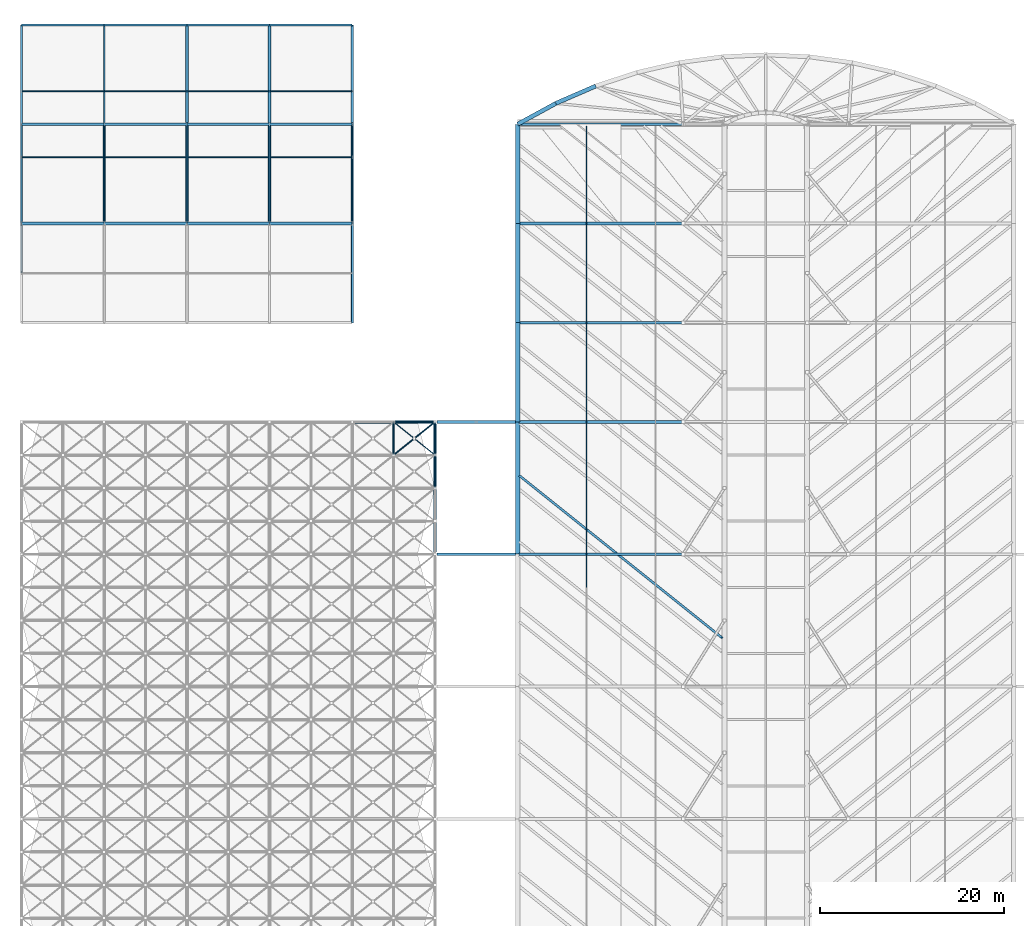
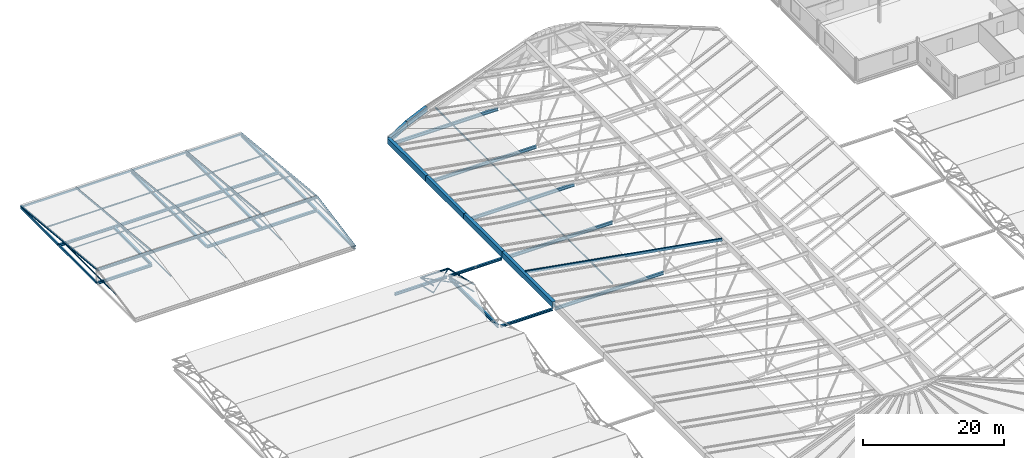
# One storey, part 30 of 110: 41 beams, 36 members.
"""IFC4 building model written with IfcOpenShell, lengths in metres."""

from ifc_helpers import new_model, si_unit, direction, frame, origin, origin_2d, place, context, subcontext, project, spatial, hollow_rectangle, hollow_circle, i_section, extrude, material, material_profile, profile_set, type_object, element, save


model = new_model("IFC4")

# Units and contexts
model_context = context("Model", 3, precision=1e-05, world=origin(), true_north=direction((0.0, 1.0)))
body_context = subcontext(model_context, "Body", "Model", "MODEL_VIEW")
ifc_project = project(units=[si_unit("LENGTHUNIT", "METRE"), si_unit("AREAUNIT", "SQUARE_METRE"), si_unit("VOLUMEUNIT", "CUBIC_METRE"), si_unit("PLANEANGLEUNIT", "RADIAN"), si_unit("MASSUNIT", "GRAM", prefix="KILO")], contexts=[model_context])

# Site, building, storey
site_placement = place(None, origin())
site = spatial("IfcSite", under=ifc_project, at=site_placement, CompositionType="ELEMENT")
building_placement = place(site_placement, origin())
building = spatial("IfcBuilding", under=site, at=building_placement, Name="Tamarisk Ironworks Central Station", CompositionType="ELEMENT")
storey_placement = place(building_placement, frame((0.0, 0.0, 17.39990234375)))
storey = spatial("IfcBuildingStorey", under=building, at=storey_placement, Name="L03", CompositionType="ELEMENT", Elevation=17.39990234375)

# Beams
ifc_material_1 = material(Name="Painted structural steel S355J2", Category="steel")
ifc_material_profile_1 = material_profile(ifc_material_1, hollow_rectangle(XDim=0.5, YDim=1.0, WallThickness=0.02197265625, at=origin_2d()), Name="BOX 500x1000x22")
ifc_profile_set_1 = profile_set([ifc_material_profile_1], Name="Painted structural steel S355J2")
beam_type_1 = type_object("IfcBeamType", Name="BM-EG01", PredefinedType="USERDEFINED", material=ifc_profile_set_1)
beam_1_placement = place(storey_placement, frame((54.0, 64.800048828125, -1.099853515625), z_axis=(0.0, 1.0, 0.0), x_axis=(-1.0, 0.0, 0.0)))
element("IfcBeam", 1, at=beam_1_placement, inside=storey, type_object=beam_type_1, Name="Concourse straight white eave girder W-005", ObjectType="TRANSFER GIRDER", PredefinedType="USERDEFINED", context=body_context, shape_type="SweptSolid", body=[
    extrude(hollow_rectangle(XDim=0.5, YDim=1.0, WallThickness=0.02197265625, at=origin_2d()), origin(), (0.0, 0.0, 1.0), 14.39990234375),
])
for number, where, z_axis, x_axis, name in (
    (2, (54.0, 79.199951171875, -1.099853515625), (0.0, 1.0, 0.0), (-1.0, 0.0, 0.0), "Concourse straight white eave girder W-006"),
    (3, (54.0, 90.0, -1.099853515625), (0.0, 1.0, 0.0), (-1.0, 0.0, 0.0), "Concourse straight white eave girder W-007"),
    (4, (54.0, 100.800048828125, -1.099853515625), (0.0, 1.0, 0.0), (-1.0, 0.0, 0.0), "Concourse straight white eave girder W-008"),
):
    element("IfcBeam", number, at=place(storey_placement, frame(where, z_axis=z_axis, x_axis=x_axis)), inside=storey, type_object=beam_type_1, Name=name, ObjectType="TRANSFER GIRDER", PredefinedType="USERDEFINED", context=body_context, shape_type="SweptSolid", body=[
        extrude(hollow_rectangle(XDim=0.5, YDim=1.0, WallThickness=0.02197265625, at=origin_2d()), origin(), (0.0, 0.0, 1.0), 10.800048828125),
    ])
ifc_material_profile_2 = material_profile(ifc_material_1, hollow_rectangle(XDim=0.25, YDim=0.449951171875, WallThickness=0.01611328125, at=origin_2d()), Name="RHS 450x250x16")
ifc_profile_set_2 = profile_set([ifc_material_profile_2], Name="Painted structural steel S355J2")
beam_type_2 = type_object("IfcBeamType", Name="BM-FR02", PredefinedType="USERDEFINED", material=ifc_profile_set_2)
beam_2_placement = place(storey_placement, frame((76.25, 55.699951171875, 7.897216796875), z_axis=(-0.746812720906, 0.597456799313, -0.292089254932), x_axis=(-0.624699269839, -0.780865431597, 0.0)))
element("IfcBeam", 5, at=beam_2_placement, inside=storey, type_object=beam_type_2, Name="Concourse paired 45-degree white fishbone roof rib 0147", ObjectType="FISHBONE ROOF RIB", PredefinedType="USERDEFINED", context=body_context, shape_type="SweptSolid", body=[
    extrude(hollow_rectangle(XDim=0.25, YDim=0.449951171875, WallThickness=0.01611328125, at=origin_2d()), origin(), (0.0, 0.0, 1.0), 29.491943359375),
])
ifc_material_2 = material(Name="Structural steel S355J2", Category="steel")
ifc_material_profile_3 = material_profile(ifc_material_2, i_section(OverallWidth=0.300048828125, OverallDepth=0.5400390625, WebThickness=0.012451171875, FlangeThickness=0.02392578125, at=origin_2d()), Name="HEA 550")
ifc_profile_set_3 = profile_set([ifc_material_profile_3], Name="Structural steel S355J2")
beam_type_3 = type_object("IfcBeamType", Name="BM-G04", PredefinedType="BEAM", material=ifc_profile_set_3)
beam_3_placement = place(storey_placement, frame((45.0, 65.0380859375, -1.869873046875), z_axis=(0.0, 1.0, 0.0), x_axis=(-1.0, 0.0, 0.0)))
element("IfcBeam", 6, at=beam_3_placement, inside=storey, type_object=beam_type_3, Name="L03 primary girder Y-0605", PredefinedType="BEAM", context=body_context, shape_type="SweptSolid", body=[
    extrude(i_section(OverallWidth=0.300048828125, OverallDepth=0.5400390625, WebThickness=0.012451171875, FlangeThickness=0.02392578125, at=origin_2d()), origin(), (0.0, 0.0, 1.0), 13.923828125),
])
for number, where, z_axis, x_axis, name in (
    (7, (54.139892578125, 64.800048828125, -1.869873046875), (1.0, 0.0, 0.0), (0.0, 1.0, 0.0), "Concourse roof portal tie girder 029"),
    (8, (54.139892578125, 79.199951171875, -1.869873046875), (1.0, 0.0, 0.0), (0.0, 1.0, 0.0), "Concourse roof portal tie girder 032"),
    (9, (54.139892578125, 90.0, -1.869873046875), (1.0, 0.0, 0.0), (0.0, 1.0, 0.0), "Concourse roof portal tie girder 035"),
    (10, (54.139892578125, 100.800048828125, -1.869873046875), (1.0, 0.0, 0.0), (0.0, 1.0, 0.0), "Concourse roof portal tie girder 038"),
    (11, (54.139892578125, 111.60009765625, -1.869873046875), (1.0, 0.0, 0.0), (0.0, 1.0, 0.0), "Concourse roof portal tie girder 041"),
):
    element("IfcBeam", number, at=place(storey_placement, frame(where, z_axis=z_axis, x_axis=x_axis)), inside=storey, type_object=beam_type_3, Name=name, PredefinedType="BEAM", context=body_context, shape_type="SweptSolid", body=[
        extrude(i_section(OverallWidth=0.300048828125, OverallDepth=0.5400390625, WebThickness=0.012451171875, FlangeThickness=0.02392578125, at=origin_2d()), origin(), (0.0, 0.0, 1.0), 17.72021484375),
    ])
ifc_material_profile_4 = material_profile(ifc_material_2, i_section(OverallWidth=0.300048828125, OverallDepth=0.43994140625, WebThickness=0.011474609375, FlangeThickness=0.02099609375, at=origin_2d()), Name="HEA 450")
ifc_profile_set_4 = profile_set([ifc_material_profile_4], Name="Structural steel S355J2")
beam_type_4 = type_object("IfcBeamType", Name="BM-G06", PredefinedType="BEAM", material=ifc_profile_set_4)
beam_4_placement = place(storey_placement, frame((36.241943359375, 79.199951171875, -1.81982421875), z_axis=(1.0, 0.0, 0.0), x_axis=(0.0, 1.0, 0.0)))
element("IfcBeam", 12, at=beam_4_placement, inside=storey, type_object=beam_type_4, Name="L03 primary girder X-0581", PredefinedType="BEAM", context=body_context, shape_type="SweptSolid", body=[
    extrude(i_section(OverallWidth=0.300048828125, OverallDepth=0.43994140625, WebThickness=0.011474609375, FlangeThickness=0.02099609375, at=origin_2d()), origin(), (0.0, 0.0, 1.0), 8.52001953125),
])
for number, where, z_axis, x_axis, name in (
    (13, (0.00390625, 100.800048828125, -0.33984375), (1.0, 0.0, 0.0), (0.0, 1.0, 0.0), "L03 primary girder X-0641"),
    (14, (18.00390625, 100.800048828125, -0.33984375), (1.0, 0.0, 0.0), (0.0, 1.0, 0.0), "L03 primary girder X-0642"),
    (15, (27.00390625, 100.800048828125, -0.33984375), (1.0, 0.0, 0.0), (0.0, 1.0, 0.0), "L03 primary girder X-0643"),
    (16, (0.00390625, 111.60009765625, -0.33984375), (1.0, 0.0, 0.0), (0.0, 1.0, 0.0), "L03 primary girder X-0649"),
    (17, (9.00390625, 111.60009765625, -0.33984375), (1.0, 0.0, 0.0), (0.0, 1.0, 0.0), "L03 primary girder X-0650"),
    (18, (18.00390625, 111.60009765625, -0.33984375), (1.0, 0.0, 0.0), (0.0, 1.0, 0.0), "L03 primary girder X-0651"),
    (19, (27.00390625, 111.60009765625, -0.33984375), (1.0, 0.0, 0.0), (0.0, 1.0, 0.0), "L03 primary girder X-0652"),
):
    element("IfcBeam", number, at=place(storey_placement, frame(where, z_axis=z_axis, x_axis=x_axis)), inside=storey, type_object=beam_type_4, Name=name, PredefinedType="BEAM", context=body_context, shape_type="SweptSolid", body=[
        extrude(i_section(OverallWidth=0.300048828125, OverallDepth=0.43994140625, WebThickness=0.011474609375, FlangeThickness=0.02099609375, at=origin_2d()), origin(), (0.0, 0.0, 1.0), 8.9921875),
    ])
for number, where, z_axis, x_axis, name in (
    (20, (9.0, 100.968017578125, -0.33984375), (0.0, 1.0, 0.0), (-1.0, 0.0, 0.0), "L03 primary girder Y-0671"),
    (21, (18.0, 100.968017578125, -0.33984375), (0.0, 1.0, 0.0), (-1.0, 0.0, 0.0), "L03 primary girder Y-0673"),
):
    element("IfcBeam", number, at=place(storey_placement, frame(where, z_axis=z_axis, x_axis=x_axis)), inside=storey, type_object=beam_type_4, Name=name, PredefinedType="BEAM", context=body_context, shape_type="SweptSolid", body=[
        extrude(i_section(OverallWidth=0.300048828125, OverallDepth=0.43994140625, WebThickness=0.011474609375, FlangeThickness=0.02099609375, at=origin_2d()), origin(), (0.0, 0.0, 1.0), 10.4638671875),
    ])
beam_5_placement = place(storey_placement, frame((18.0, 111.76806640625, -0.33984375), z_axis=(0.0, 1.0, 0.0), x_axis=(-1.0, 0.0, 0.0)))
element("IfcBeam", 22, at=beam_5_placement, inside=storey, type_object=beam_type_4, Name="L03 primary girder Y-0674", PredefinedType="BEAM", context=body_context, shape_type="SweptSolid", body=[
    extrude(i_section(OverallWidth=0.300048828125, OverallDepth=0.43994140625, WebThickness=0.011474609375, FlangeThickness=0.02099609375, at=origin_2d()), origin(), (0.0, 0.0, 1.0), 10.493896484375),
])
beam_6_placement = place(storey_placement, frame((27.0, 100.968017578125, -0.33984375), z_axis=(0.0, 1.0, 0.0), x_axis=(-1.0, 0.0, 0.0)))
element("IfcBeam", 23, at=beam_6_placement, inside=storey, type_object=beam_type_4, Name="L03 primary girder Y-0675", PredefinedType="BEAM", context=body_context, shape_type="SweptSolid", body=[
    extrude(i_section(OverallWidth=0.300048828125, OverallDepth=0.43994140625, WebThickness=0.011474609375, FlangeThickness=0.02099609375, at=origin_2d()), origin(), (0.0, 0.0, 1.0), 10.4638671875),
])
beam_7_placement = place(storey_placement, frame((27.0, 111.76806640625, -0.33984375), z_axis=(0.0, 1.0, 0.0), x_axis=(-1.0, 0.0, 0.0)))
element("IfcBeam", 24, at=beam_7_placement, inside=storey, type_object=beam_type_4, Name="L03 primary girder Y-0676", PredefinedType="BEAM", context=body_context, shape_type="SweptSolid", body=[
    extrude(i_section(OverallWidth=0.300048828125, OverallDepth=0.43994140625, WebThickness=0.011474609375, FlangeThickness=0.02099609375, at=origin_2d()), origin(), (0.0, 0.0, 1.0), 10.493896484375),
])
beam_8_placement = place(storey_placement, frame((36.0, 90.137939453125, -0.33984375), z_axis=(0.0, 1.0, 0.0), x_axis=(-1.0, 0.0, 0.0)))
element("IfcBeam", 25, at=beam_8_placement, inside=storey, type_object=beam_type_4, Name="L03 primary girder Y-0677", PredefinedType="BEAM", context=body_context, shape_type="SweptSolid", body=[
    extrude(i_section(OverallWidth=0.300048828125, OverallDepth=0.43994140625, WebThickness=0.011474609375, FlangeThickness=0.02099609375, at=origin_2d()), origin(), (0.0, 0.0, 1.0), 10.494140625),
])
beam_9_placement = place(storey_placement, frame((36.0, 100.968017578125, -0.33984375), z_axis=(0.0, 1.0, 0.0), x_axis=(-1.0, 0.0, 0.0)))
element("IfcBeam", 26, at=beam_9_placement, inside=storey, type_object=beam_type_4, Name="L03 primary girder Y-0678", PredefinedType="BEAM", context=body_context, shape_type="SweptSolid", body=[
    extrude(i_section(OverallWidth=0.300048828125, OverallDepth=0.43994140625, WebThickness=0.011474609375, FlangeThickness=0.02099609375, at=origin_2d()), origin(), (0.0, 0.0, 1.0), 10.4638671875),
])
beam_10_placement = place(storey_placement, frame((36.0, 111.76806640625, -0.33984375), z_axis=(0.0, 1.0, 0.0), x_axis=(-1.0, 0.0, 0.0)))
element("IfcBeam", 27, at=beam_10_placement, inside=storey, type_object=beam_type_4, Name="L03 primary girder Y-0679", PredefinedType="BEAM", context=body_context, shape_type="SweptSolid", body=[
    extrude(i_section(OverallWidth=0.300048828125, OverallDepth=0.43994140625, WebThickness=0.011474609375, FlangeThickness=0.02099609375, at=origin_2d()), origin(), (0.0, 0.0, 1.0), 10.493896484375),
])
ifc_material_profile_5 = material_profile(ifc_material_2, i_section(OverallWidth=0.300048828125, OverallDepth=0.389892578125, WebThickness=0.010986328125, FlangeThickness=0.01904296875, at=origin_2d()), Name="HEA 400")
ifc_profile_set_5 = profile_set([ifc_material_profile_5], Name="Structural steel S355J2")
beam_type_5 = type_object("IfcBeamType", Name="BM-G07", PredefinedType="BEAM", material=ifc_profile_set_5)
for number, where, z_axis, x_axis, name in (
    (28, (45.22998046875, 64.800048828125, -1.7998046875), (1.0, 0.0, 0.0), (0.0, 1.0, 0.0), "Train shed to concourse eave tie girder 04"),
    (29, (45.22998046875, 79.199951171875, -1.7998046875), (1.0, 0.0, 0.0), (0.0, 1.0, 0.0), "Train shed to concourse eave tie girder 05"),
):
    element("IfcBeam", number, at=place(storey_placement, frame(where, z_axis=z_axis, x_axis=x_axis)), inside=storey, type_object=beam_type_5, Name=name, PredefinedType="BEAM", context=body_context, shape_type="SweptSolid", body=[
        extrude(i_section(OverallWidth=0.300048828125, OverallDepth=0.389892578125, WebThickness=0.010986328125, FlangeThickness=0.01904296875, at=origin_2d()), origin(), (0.0, 0.0, 1.0), 8.5400390625),
    ])
ifc_material_profile_6 = material_profile(ifc_material_2, i_section(OverallWidth=0.300048828125, OverallDepth=0.35009765625, WebThickness=0.010009765625, FlangeThickness=0.017578125, at=origin_2d()), Name="HEA 360")
ifc_profile_set_6 = profile_set([ifc_material_profile_6], Name="Structural steel S355J2")
beam_type_6 = type_object("IfcBeamType", Name="BM-G08", PredefinedType="BEAM", material=ifc_profile_set_6)
for number, where, z_axis, x_axis, name in (
    (30, (0.0048828125, 100.800048828125, 1.920166015625), (1.0, 0.0, 0.0), (0.0, 1.0, 0.0), "Pavilion roof ridge girder 16"),
    (31, (9.0048828125, 100.800048828125, 1.920166015625), (1.0, 0.0, 0.0), (0.0, 1.0, 0.0), "Pavilion roof ridge girder 20"),
    (32, (18.0048828125, 100.800048828125, 1.920166015625), (1.0, 0.0, 0.0), (0.0, 1.0, 0.0), "Pavilion roof ridge girder 24"),
    (33, (27.0048828125, 100.800048828125, 1.920166015625), (1.0, 0.0, 0.0), (0.0, 1.0, 0.0), "Pavilion roof ridge girder 28"),
):
    element("IfcBeam", number, at=place(storey_placement, frame(where, z_axis=z_axis, x_axis=x_axis)), inside=storey, type_object=beam_type_6, Name=name, PredefinedType="BEAM", context=body_context, shape_type="SweptSolid", body=[
        extrude(i_section(OverallWidth=0.300048828125, OverallDepth=0.35009765625, WebThickness=0.010009765625, FlangeThickness=0.017578125, at=origin_2d()), origin(), (0.0, 0.0, 1.0), 8.990234375),
    ])
ifc_material_profile_7 = material_profile(ifc_material_1, hollow_rectangle(XDim=0.449951171875, YDim=0.89990234375, WallThickness=0.02001953125, at=origin_2d()), Name="BOX 450x900x20")
ifc_profile_set_7 = profile_set([ifc_material_profile_7], Name="Painted structural steel S355J2")
beam_type_7 = type_object("IfcBeamType", Name="BM-RG01", PredefinedType="USERDEFINED", material=ifc_profile_set_7)
for number, where, z_axis, x_axis, name in (
    (34, (54.0, 111.60009765625, -1.079833984375), (0.87736638631, 0.479821033483, 0.0), (-0.479821033483, 0.87736638631, 0.0), "NORTH rounded nose outer ring beam 01"),
    (35, (58.14990234375, 113.86962890625, -1.079833984375), (0.91733327399, 0.398120163307, 0.0), (-0.398120163307, 0.91733327399, 0.0), "NORTH rounded nose outer ring beam 02"),
):
    element("IfcBeam", number, at=place(storey_placement, frame(where, z_axis=z_axis, x_axis=x_axis)), inside=storey, type_object=beam_type_7, Name=name, ObjectType="TRANSFER GIRDER", PredefinedType="USERDEFINED", context=body_context, shape_type="SweptSolid", body=[
        extrude(hollow_rectangle(XDim=0.449951171875, YDim=0.89990234375, WallThickness=0.02001953125, at=origin_2d()), origin(), (0.0, 0.0, 1.0), 4.72998046875),
    ])
ifc_material_profile_8 = material_profile(ifc_material_2, hollow_rectangle(XDim=0.199951171875, YDim=0.35009765625, WallThickness=0.012451171875, at=origin_2d()), Name="RHS 350x200x12.5")
ifc_profile_set_8 = profile_set([ifc_material_profile_8], Name="Structural steel S355J2")
beam_type_8 = type_object("IfcBeamType", Name="BM-SP01", PredefinedType="SPANDREL", material=ifc_profile_set_8)
for number, where, z_axis, x_axis, name in (
    (36, (0.0, 100.93798828125, -0.294921875), (0.0, 1.0, 0.0), (-1.0, 0.0, 0.0), "L03 primary girder Y-0668"),
    (37, (0.0, 111.738037109375, -0.294921875), (0.0, 1.0, 0.0), (-1.0, 0.0, 0.0), "L03 primary girder Y-0669"),
):
    element("IfcBeam", number, at=place(storey_placement, frame(where, z_axis=z_axis, x_axis=x_axis)), inside=storey, type_object=beam_type_8, Name=name, PredefinedType="SPANDREL", context=body_context, shape_type="SweptSolid", body=[
        extrude(hollow_rectangle(XDim=0.199951171875, YDim=0.35009765625, WallThickness=0.012451171875, at=origin_2d()), origin(), (0.0, 0.0, 1.0), 10.52392578125),
    ])
ifc_material_profile_9 = material_profile(ifc_material_2, hollow_rectangle(XDim=0.199951171875, YDim=0.300048828125, WallThickness=0.011962890625, at=origin_2d()), Name="RHS 300x200x12")
ifc_profile_set_9 = profile_set([ifc_material_profile_9], Name="Structural steel S355J2")
beam_type_9 = type_object("IfcBeamType", Name="BM-SP02", PredefinedType="SPANDREL", material=ifc_profile_set_9)
for number, where, z_axis, x_axis, name in (
    (38, (0.00390625, 122.39990234375, -0.27001953125), (1.0, 0.0, 0.0), (0.0, 1.0, 0.0), "L03 primary girder X-0658"),
    (39, (9.00390625, 122.39990234375, -0.27001953125), (1.0, 0.0, 0.0), (0.0, 1.0, 0.0), "L03 primary girder X-0659"),
    (40, (18.00390625, 122.39990234375, -0.27001953125), (1.0, 0.0, 0.0), (0.0, 1.0, 0.0), "L03 primary girder X-0660"),
    (41, (27.00390625, 122.39990234375, -0.27001953125), (1.0, 0.0, 0.0), (0.0, 1.0, 0.0), "L03 primary girder X-0661"),
):
    element("IfcBeam", number, at=place(storey_placement, frame(where, z_axis=z_axis, x_axis=x_axis)), inside=storey, type_object=beam_type_9, Name=name, PredefinedType="SPANDREL", context=body_context, shape_type="SweptSolid", body=[
        extrude(hollow_rectangle(XDim=0.199951171875, YDim=0.300048828125, WallThickness=0.011962890625, at=origin_2d()), origin(), (0.0, 0.0, 1.0), 8.9921875),
    ])

# Members
ifc_material_profile_10 = material_profile(ifc_material_1, hollow_circle(Radius=0.096923828125, WallThickness=0.010009765625, at=origin_2d()), Name="CHS 193.7x10")
ifc_profile_set_10 = profile_set([ifc_material_profile_10], Name="Painted structural steel S355J2")
member_type_1 = type_object("IfcMemberType", Name="MB-BR03", PredefinedType="BRACE", material=ifc_profile_set_10)
for number, where, z_axis, x_axis, name in (
    (42, (0.0, 95.39990234375, 0.97998046875), (0.0, 1.0, 0.0), (-1.0, 0.0, 0.0), "Pavilion roof A-frame collar tie 03"),
    (43, (9.0, 95.39990234375, 0.97998046875), (0.0, 1.0, 0.0), (-1.0, 0.0, 0.0), "Pavilion roof A-frame collar tie 06"),
    (44, (18.0, 95.39990234375, 0.97998046875), (0.0, 1.0, 0.0), (-1.0, 0.0, 0.0), "Pavilion roof A-frame collar tie 09"),
    (45, (27.0, 95.39990234375, 0.97998046875), (0.0, 1.0, 0.0), (-1.0, 0.0, 0.0), "Pavilion roof A-frame collar tie 12"),
    (46, (36.0, 95.39990234375, 0.97998046875), (0.0, 1.0, 0.0), (-1.0, 0.0, 0.0), "Pavilion roof A-frame collar tie 15"),
):
    element("IfcMember", number, at=place(storey_placement, frame(where, z_axis=z_axis, x_axis=x_axis)), inside=storey, type_object=member_type_1, Name=name, PredefinedType="BRACE", context=body_context, shape_type="SweptSolid", body=[
        extrude(hollow_circle(Radius=0.096923828125, WallThickness=0.010009765625, at=origin_2d()), origin(), (0.0, 0.0, 1.0), 16.2001953125),
    ])
ifc_material_profile_11 = material_profile(ifc_material_1, hollow_rectangle(XDim=0.1201171875, YDim=0.219970703125, WallThickness=0.008056640625, at=origin_2d()), Name="RHS 220x120x8")
ifc_profile_set_11 = profile_set([ifc_material_profile_11], Name="Painted structural steel S355J2")
member_type_2 = type_object("IfcMemberType", Name="MB-PR01", PredefinedType="PURLIN", material=ifc_profile_set_11)
member_1_placement = place(storey_placement, frame((61.5, 61.199951171875, 2.0693359375), z_axis=(0.0, 1.0, 0.0), x_axis=(-1.0, 0.0, 0.0)))
element("IfcMember", 47, at=member_1_placement, inside=storey, type_object=member_type_2, Name="Concourse roof glazing purlin 0036", PredefinedType="PURLIN", context=body_context, shape_type="SweptSolid", body=[
    extrude(hollow_rectangle(XDim=0.1201171875, YDim=0.219970703125, WallThickness=0.008056640625, at=origin_2d()), origin(), (0.0, 0.0, 1.0), 7.199951171875),
])
member_2_placement = place(storey_placement, frame((61.5, 68.39990234375, 2.0693359375), z_axis=(0.0, 1.0, 0.0), x_axis=(-1.0, 0.0, 0.0)))
element("IfcMember", 48, at=member_2_placement, inside=storey, type_object=member_type_2, Name="Concourse roof glazing purlin 0037", PredefinedType="PURLIN", context=body_context, shape_type="SweptSolid", body=[
    extrude(hollow_rectangle(XDim=0.1201171875, YDim=0.219970703125, WallThickness=0.008056640625, at=origin_2d()), origin(), (0.0, 0.0, 1.0), 7.2001953125),
])
for number, where, z_axis, x_axis, name in (
    (49, (61.5, 75.60009765625, 2.0693359375), (0.0, 1.0, 0.0), (-1.0, 0.0, 0.0), "Concourse roof glazing purlin 0038"),
    (50, (61.5, 82.800048828125, 2.0693359375), (0.0, 1.0, 0.0), (-1.0, 0.0, 0.0), "Concourse roof glazing purlin 0039"),
    (51, (61.5, 90.0, 2.0693359375), (0.0, 1.0, 0.0), (-1.0, 0.0, 0.0), "Concourse roof glazing purlin 0040"),
    (52, (61.5, 97.199951171875, 2.0693359375), (0.0, 1.0, 0.0), (-1.0, 0.0, 0.0), "Concourse roof glazing purlin 0041"),
):
    element("IfcMember", number, at=place(storey_placement, frame(where, z_axis=z_axis, x_axis=x_axis)), inside=storey, type_object=member_type_2, Name=name, PredefinedType="PURLIN", context=body_context, shape_type="SweptSolid", body=[
        extrude(hollow_rectangle(XDim=0.1201171875, YDim=0.219970703125, WallThickness=0.008056640625, at=origin_2d()), origin(), (0.0, 0.0, 1.0), 7.199951171875),
    ])
member_3_placement = place(storey_placement, frame((61.5, 104.39990234375, 2.0693359375), z_axis=(0.0, 1.0, 0.0), x_axis=(-1.0, 0.0, 0.0)))
element("IfcMember", 53, at=member_3_placement, inside=storey, type_object=member_type_2, Name="Concourse roof glazing purlin 0042", PredefinedType="PURLIN", context=body_context, shape_type="SweptSolid", body=[
    extrude(hollow_rectangle(XDim=0.1201171875, YDim=0.219970703125, WallThickness=0.008056640625, at=origin_2d()), origin(), (0.0, 0.0, 1.0), 7.0),
])
ifc_material_3 = material(Name="Structural steel S355J2H", Category="steel")
ifc_material_profile_12 = material_profile(ifc_material_3, hollow_rectangle(XDim=0.10009765625, YDim=0.179931640625, WallThickness=0.00634765625, at=origin_2d()), Name="RHS 180x100x6.3")
ifc_profile_set_12 = profile_set([ifc_material_profile_12], Name="Structural steel S355J2H")
member_type_3 = type_object("IfcMemberType", Name="MB-PR02", PredefinedType="PURLIN", material=ifc_profile_set_12)
for number, where, z_axis, x_axis, name in (
    (54, (0.0, 108.0, 1.30517578125), (1.0, 0.0, 0.0), (0.0, 1.0, 0.0), "Pavilion roof purlin 18"),
    (55, (9.0, 108.0, 1.30517578125), (1.0, 0.0, 0.0), (0.0, 1.0, 0.0), "Pavilion roof purlin 22"),
    (56, (18.0, 108.0, 1.30517578125), (1.0, 0.0, 0.0), (0.0, 1.0, 0.0), "Pavilion roof purlin 26"),
    (57, (27.0, 108.0, 1.30517578125), (1.0, 0.0, 0.0), (0.0, 1.0, 0.0), "Pavilion roof purlin 30"),
):
    element("IfcMember", number, at=place(storey_placement, frame(where, z_axis=z_axis, x_axis=x_axis)), inside=storey, type_object=member_type_3, Name=name, PredefinedType="PURLIN", context=body_context, shape_type="SweptSolid", body=[
        extrude(hollow_rectangle(XDim=0.10009765625, YDim=0.179931640625, WallThickness=0.00634765625, at=origin_2d()), origin(), (0.0, 0.0, 1.0), 9.0),
    ])
ifc_material_profile_13 = material_profile(ifc_material_2, i_section(OverallWidth=0.08203125, OverallDepth=0.159912109375, WebThickness=0.0048828125, FlangeThickness=0.00732421875, at=origin_2d()), Name="IPE 160")
ifc_profile_set_13 = profile_set([ifc_material_profile_13], Name="Structural steel S355J2")
member_type_4 = type_object("IfcMemberType", Name="MB-PR04", PredefinedType="PURLIN", material=ifc_profile_set_13)
for number, where, z_axis, x_axis, name in (
    (58, (0.0, 115.199951171875, 0.60498046875), (1.0, 0.0, 0.0), (0.0, 1.0, 0.0), "Pavilion roof purlin 19"),
    (59, (9.0, 115.199951171875, 0.60498046875), (1.0, 0.0, 0.0), (0.0, 1.0, 0.0), "Pavilion roof purlin 23"),
    (60, (18.0, 115.199951171875, 0.60498046875), (1.0, 0.0, 0.0), (0.0, 1.0, 0.0), "Pavilion roof purlin 27"),
    (61, (27.0, 115.199951171875, 0.60498046875), (1.0, 0.0, 0.0), (0.0, 1.0, 0.0), "Pavilion roof purlin 31"),
):
    element("IfcMember", number, at=place(storey_placement, frame(where, z_axis=z_axis, x_axis=x_axis)), inside=storey, type_object=member_type_4, Name=name, PredefinedType="PURLIN", context=body_context, shape_type="SweptSolid", body=[
        extrude(i_section(OverallWidth=0.08203125, OverallDepth=0.159912109375, WebThickness=0.0048828125, FlangeThickness=0.00732421875, at=origin_2d()), origin(), (0.0, 0.0, 1.0), 9.0),
    ])
ifc_material_profile_14 = material_profile(ifc_material_2, i_section(OverallWidth=0.219970703125, OverallDepth=0.219970703125, WebThickness=0.009521484375, FlangeThickness=0.01611328125, at=origin_2d()), Name="HEB 220")
ifc_profile_set_14 = profile_set([ifc_material_profile_14], Name="Structural steel S355J2")
member_type_5 = type_object("IfcMemberType", Name="MB-RF01", PredefinedType="RAFTER", material=ifc_profile_set_14)
member_4_placement = place(storey_placement, frame((0.0, 122.39990234375, -0.059814453125), z_axis=(0.0, -0.995396177931, 0.095845964755), x_axis=(1.0, 0.0, 0.0)))
element("IfcMember", 62, at=member_4_placement, inside=storey, type_object=member_type_5, Name="Pavilion pitched roof steel rafter 02", PredefinedType="RAFTER", context=body_context, shape_type="SweptSolid", body=[
    extrude(i_section(OverallWidth=0.219970703125, OverallDepth=0.219970703125, WebThickness=0.009521484375, FlangeThickness=0.01611328125, at=origin_2d()), origin(), (0.0, 0.0, 1.0), 21.69970703125),
])
member_5_placement = place(storey_placement, frame((36.0, 90.0, -0.059814453125), z_axis=(0.0, 0.981957490531, 0.189101789494), x_axis=(-1.0, 0.0, 0.0)))
element("IfcMember", 63, at=member_5_placement, inside=storey, type_object=member_type_5, Name="Pavilion pitched roof steel rafter 13", PredefinedType="RAFTER", context=body_context, shape_type="SweptSolid", body=[
    extrude(i_section(OverallWidth=0.219970703125, OverallDepth=0.219970703125, WebThickness=0.009521484375, FlangeThickness=0.01611328125, at=origin_2d()), origin(), (0.0, 0.0, 1.0), 10.99853515625),
])
member_6_placement = place(storey_placement, frame((36.0, 122.39990234375, -0.059814453125), z_axis=(0.0, -0.995396177931, 0.095845964755), x_axis=(1.0, 0.0, 0.0)))
element("IfcMember", 64, at=member_6_placement, inside=storey, type_object=member_type_5, Name="Pavilion pitched roof steel rafter 14", PredefinedType="RAFTER", context=body_context, shape_type="SweptSolid", body=[
    extrude(i_section(OverallWidth=0.219970703125, OverallDepth=0.219970703125, WebThickness=0.009521484375, FlangeThickness=0.01611328125, at=origin_2d()), origin(), (0.0, 0.0, 1.0), 21.69970703125),
])
ifc_material_profile_15 = material_profile(ifc_material_2, i_section(OverallWidth=0.199951171875, OverallDepth=0.199951171875, WebThickness=0.009033203125, FlangeThickness=0.014892578125, at=origin_2d()), Name="HEB 200")
ifc_profile_set_15 = profile_set([ifc_material_profile_15], Name="Structural steel S355J2")
member_type_6 = type_object("IfcMemberType", Name="MB-RF02", PredefinedType="RAFTER", material=ifc_profile_set_15)
for number, where, z_axis, x_axis, name in (
    (65, (9.0, 122.39990234375, -0.059814453125), (0.0, -0.995396177931, 0.095845964755), (1.0, 0.0, 0.0), "Pavilion pitched roof steel rafter 05"),
    (66, (18.0, 122.39990234375, -0.059814453125), (0.0, -0.995396177931, 0.095845964755), (1.0, 0.0, 0.0), "Pavilion pitched roof steel rafter 08"),
    (67, (27.0, 122.39990234375, -0.059814453125), (0.0, -0.995396177931, 0.095845964755), (1.0, 0.0, 0.0), "Pavilion pitched roof steel rafter 11"),
):
    element("IfcMember", number, at=place(storey_placement, frame(where, z_axis=z_axis, x_axis=x_axis)), inside=storey, type_object=member_type_6, Name=name, PredefinedType="RAFTER", context=body_context, shape_type="SweptSolid", body=[
        extrude(i_section(OverallWidth=0.199951171875, OverallDepth=0.199951171875, WebThickness=0.009033203125, FlangeThickness=0.014892578125, at=origin_2d()), origin(), (0.0, 0.0, 1.0), 21.69970703125),
    ])
ifc_material_profile_16 = material_profile(ifc_material_3, hollow_circle(Radius=0.136474609375, WallThickness=0.012451171875, at=origin_2d()), Name="CHS 273x12.5")
ifc_profile_set_16 = profile_set([ifc_material_profile_16], Name="Structural steel S355J2H")
member_type_7 = type_object("IfcMemberType", Name="MB-SFC01", PredefinedType="CHORD", material=ifc_profile_set_16)
member_7_placement = place(storey_placement, frame((40.5, 79.199951171875, -0.469970703125), z_axis=(1.0, 0.0, 0.0), x_axis=(0.0, 1.0, 0.0)))
element("IfcMember", 68, at=member_7_placement, inside=storey, type_object=member_type_7, Name="Train shed space-frame top chord 0838", PredefinedType="CHORD", context=body_context, shape_type="SweptSolid", body=[
    extrude(hollow_circle(Radius=0.136474609375, WallThickness=0.012451171875, at=origin_2d()), origin(), (0.0, 0.0, 1.0), 4.5),
])
ifc_material_profile_17 = material_profile(ifc_material_3, hollow_circle(Radius=0.122314453125, WallThickness=0.012451171875, at=origin_2d()), Name="CHS 244.5x12.5")
ifc_profile_set_17 = profile_set([ifc_material_profile_17], Name="Structural steel S355J2H")
member_type_8 = type_object("IfcMemberType", Name="MB-SFC02", PredefinedType="CHORD", material=ifc_profile_set_17)
member_8_placement = place(storey_placement, frame((40.5, 75.60009765625, 0.35498046875), z_axis=(0.0, 0.974733218107, -0.223372230857), x_axis=(-1.0, 0.0, 0.0)))
element("IfcMember", 69, at=member_8_placement, inside=storey, type_object=member_type_8, Name="Train shed space-frame top transverse chord 0878", PredefinedType="CHORD", context=body_context, shape_type="SweptSolid", body=[
    extrude(hollow_circle(Radius=0.122314453125, WallThickness=0.012451171875, at=origin_2d()), origin(), (0.0, 0.0, 1.0), 3.693115234375),
])
member_9_placement = place(storey_placement, frame((45.0, 72.0, 1.18017578125), z_axis=(0.0, 0.974722123001, -0.223420641241), x_axis=(-1.0, 0.0, 0.0)))
element("IfcMember", 70, at=member_9_placement, inside=storey, type_object=member_type_8, Name="Train shed space-frame top transverse chord 0881", PredefinedType="CHORD", context=body_context, shape_type="SweptSolid", body=[
    extrude(hollow_circle(Radius=0.122314453125, WallThickness=0.012451171875, at=origin_2d()), origin(), (0.0, 0.0, 1.0), 3.693359375),
])
member_10_placement = place(storey_placement, frame((45.0, 75.60009765625, 0.35498046875), z_axis=(0.0, 0.974733218107, -0.223372230857), x_axis=(-1.0, 0.0, 0.0)))
element("IfcMember", 71, at=member_10_placement, inside=storey, type_object=member_type_8, Name="Train shed space-frame top transverse chord 0882", PredefinedType="CHORD", context=body_context, shape_type="SweptSolid", body=[
    extrude(hollow_circle(Radius=0.122314453125, WallThickness=0.012451171875, at=origin_2d()), origin(), (0.0, 0.0, 1.0), 3.693115234375),
])
ifc_material_profile_18 = material_profile(ifc_material_3, hollow_circle(Radius=0.109619140625, WallThickness=0.010009765625, at=origin_2d()), Name="CHS 219.1x10")
ifc_profile_set_18 = profile_set([ifc_material_profile_18], Name="Structural steel S355J2H")
member_type_9 = type_object("IfcMemberType", Name="MB-SFC03", PredefinedType="CHORD", material=ifc_profile_set_18)
member_11_placement = place(storey_placement, frame((40.5, 75.60009765625, -0.89501953125), z_axis=(0.0, 0.974733218107, -0.223372230857), x_axis=(-1.0, 0.0, 0.0)))
element("IfcMember", 72, at=member_11_placement, inside=storey, type_object=member_type_9, Name="Train shed space-frame transverse chord 0794", PredefinedType="CHORD", context=body_context, shape_type="SweptSolid", body=[
    extrude(hollow_circle(Radius=0.109619140625, WallThickness=0.010009765625, at=origin_2d()), origin(), (0.0, 0.0, 1.0), 3.693115234375),
])
member_12_placement = place(storey_placement, frame((45.0, 72.0, -0.06982421875), z_axis=(0.0, 0.974722123001, -0.223420641241), x_axis=(-1.0, 0.0, 0.0)))
element("IfcMember", 73, at=member_12_placement, inside=storey, type_object=member_type_9, Name="Train shed space-frame transverse chord 0797", PredefinedType="CHORD", context=body_context, shape_type="SweptSolid", body=[
    extrude(hollow_circle(Radius=0.109619140625, WallThickness=0.010009765625, at=origin_2d()), origin(), (0.0, 0.0, 1.0), 3.693359375),
])
member_13_placement = place(storey_placement, frame((45.0, 75.60009765625, -0.89501953125), z_axis=(0.0, 0.974733218107, -0.223372230857), x_axis=(-1.0, 0.0, 0.0)))
element("IfcMember", 74, at=member_13_placement, inside=storey, type_object=member_type_9, Name="Train shed space-frame transverse chord 0798", PredefinedType="CHORD", context=body_context, shape_type="SweptSolid", body=[
    extrude(hollow_circle(Radius=0.109619140625, WallThickness=0.010009765625, at=origin_2d()), origin(), (0.0, 0.0, 1.0), 3.693115234375),
])
ifc_material_profile_19 = material_profile(ifc_material_3, hollow_circle(Radius=0.084228515625, WallThickness=0.010009765625, at=origin_2d()), Name="CHS 168.3x10")
ifc_profile_set_19 = profile_set([ifc_material_profile_19], Name="Structural steel S355J2H")
member_type_10 = type_object("IfcMemberType", Name="MB-SFD01", PredefinedType="BRACE", material=ifc_profile_set_19)
member_14_placement = place(storey_placement, frame((40.5, 75.60009765625, -0.89501953125), z_axis=(0.778765724077, 0.622987228815, 0.073558546312), x_axis=(-0.624679547852, 0.780881208953, 0.0)))
element("IfcMember", 75, at=member_14_placement, inside=storey, type_object=member_type_10, Name="Train shed space-frame diagonal 0961", PredefinedType="BRACE", context=body_context, shape_type="SweptSolid", body=[
    extrude(hollow_circle(Radius=0.084228515625, WallThickness=0.010009765625, at=origin_2d()), origin(), (0.0, 0.0, 1.0), 5.7783203125),
])
ifc_material_profile_20 = material_profile(ifc_material_3, hollow_circle(Radius=0.05712890625, WallThickness=0.00634765625, at=origin_2d()), Name="CHS 114.3x6.3")
ifc_profile_set_20 = profile_set([ifc_material_profile_20], Name="Structural steel S355J2H")
member_type_11 = type_object("IfcMemberType", Name="MB-SFD03", PredefinedType="BRACE", material=ifc_profile_set_20)
for number, where, z_axis, x_axis, name in (
    (76, (45.0, 75.60009765625, -0.89501953125), (-0.778786711003, 0.622960457248, 0.073563084968), (-0.624652913247, -0.780902515025, 0.0), "Train shed space-frame split counter-diagonal lower 0962"),
    (77, (42.707275390625, 77.434326171875, -0.678466796875), (-0.778786711003, 0.622960457248, 0.073563084968), (-0.624652913247, -0.780902515025, 0.0), "Train shed space-frame split counter-diagonal upper 0962"),
):
    element("IfcMember", number, at=place(storey_placement, frame(where, z_axis=z_axis, x_axis=x_axis)), inside=storey, type_object=member_type_11, Name=name, PredefinedType="BRACE", context=body_context, shape_type="SweptSolid", body=[
        extrude(hollow_circle(Radius=0.05712890625, WallThickness=0.00634765625, at=origin_2d()), origin(), (0.0, 0.0, 1.0), 2.834228515625),
    ])

save(model, "model.ifc")
